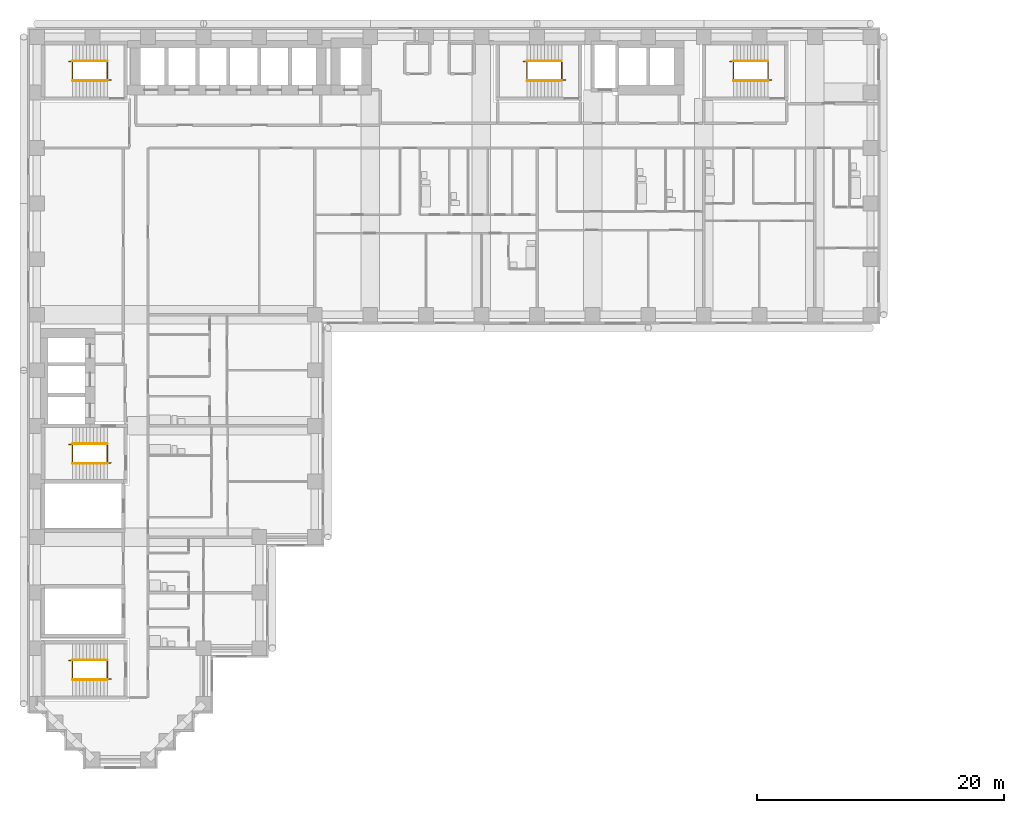
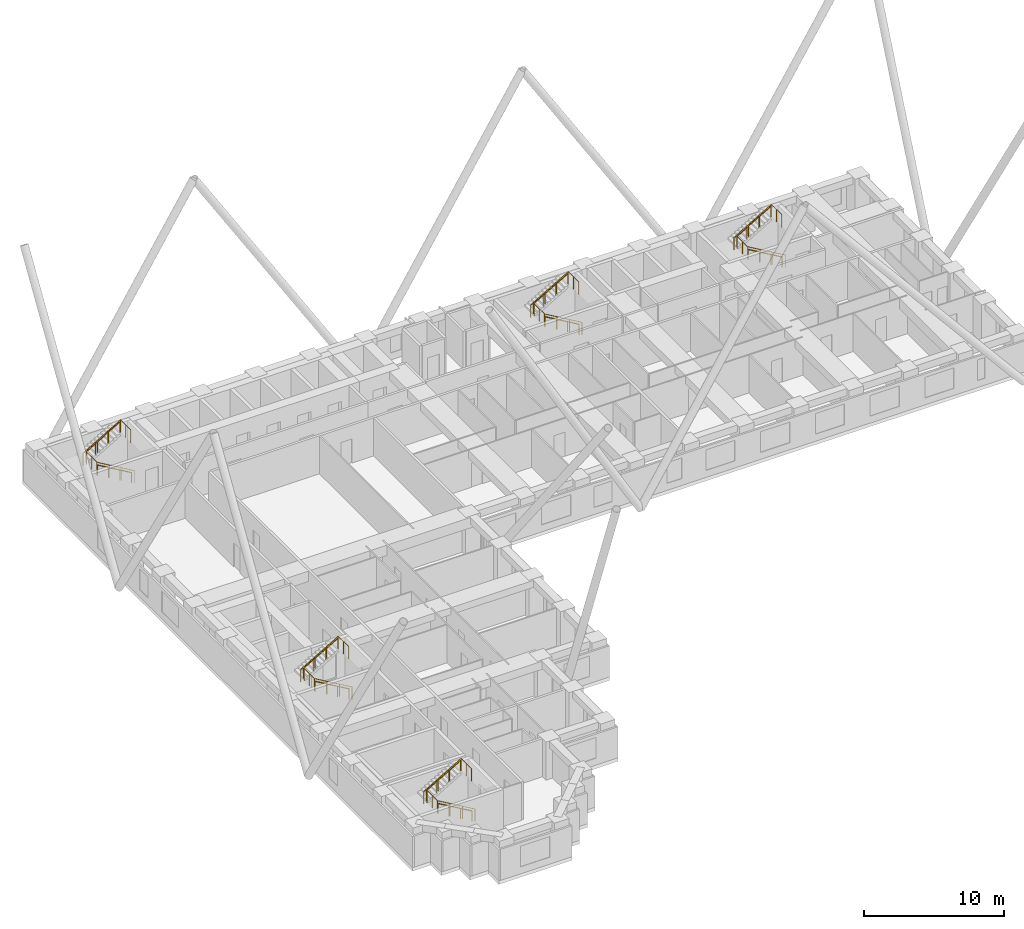
# One storey, part 19 of 20: 15 railings.
"""IFC4 building model written with IfcOpenShell, lengths in metres."""

from ifc_helpers import new_model, si_unit, direction, frame, origin, origin_2d, place, context, subcontext, project, spatial, circle, extrude, material, type_object, element, save


model = new_model("IFC4")

# Units and contexts
model_context = context("Model", 3, precision=1e-05, world=origin(), true_north=direction((0.0, 1.0)))
body_context = subcontext(model_context, "Body", "Model", "MODEL_VIEW")
ifc_project = project(units=[si_unit("LENGTHUNIT", "METRE"), si_unit("AREAUNIT", "SQUARE_METRE"), si_unit("VOLUMEUNIT", "CUBIC_METRE"), si_unit("PLANEANGLEUNIT", "RADIAN"), si_unit("MASSUNIT", "GRAM", prefix="KILO")], contexts=[model_context])

# Site, building, storey
site_placement = place(None, origin())
site = spatial("IfcSite", under=ifc_project, at=site_placement, CompositionType="ELEMENT")
building_placement = place(site_placement, origin())
building = spatial("IfcBuilding", under=site, at=building_placement, Name="Firuza Court", CompositionType="ELEMENT")
storey_placement = place(building_placement, frame((0.0, 0.0, 29.0)))
storey = spatial("IfcBuildingStorey", under=building, at=storey_placement, Name="L05", CompositionType="ELEMENT", Elevation=29.0)

# Railings
ifc_material_1 = material(Name="Steel S355", Category="steel")
railing_type_1 = type_object("IfcRailingType", Name="Handrail 900", PredefinedType="HANDRAIL", material=ifc_material_1)
railing_1_placement = place(storey_placement, frame((42.5, 54.949951171875, 0.16357421875)))
element("IfcRailing", 1, at=railing_1_placement, inside=storey, type_object=railing_type_1, Name="Handrail S1 flight 1", PredefinedType="HANDRAIL", context=body_context, shape_type="SweptSolid", body=[
    extrude(circle(Radius=0.02490234375, at=origin_2d()), frame((0.0, 0.0, 0.875), z_axis=(-0.863360870873, 0.0, 0.504586966384), x_axis=(0.0, -1.0, 0.0)), (0.0, 0.0, 1.0), 3.2431640625),
    extrude(circle(Radius=0.02001953125, at=origin_2d()), origin(), (0.0, 0.0, 1.0), 0.849853515625),
    extrude(circle(Radius=0.02001953125, at=origin_2d()), frame((-0.933349609375, 0.0, 0.54541015625)), (0.0, 0.0, 1.0), 0.849853515625),
    extrude(circle(Radius=0.02001953125, at=origin_2d()), frame((-1.86669921875, 0.0, 1.091064453125)), (0.0, 0.0, 1.0), 0.849853515625),
    extrude(circle(Radius=0.02001953125, at=origin_2d()), frame((-2.800048828125, 0.0, 1.636474609375)), (0.0, 0.0, 1.0), 0.849853515625),
])
railing_2_placement = place(storey_placement, frame((39.699951171875, 56.550048828125, 1.963623046875)))
element("IfcRailing", 2, at=railing_2_placement, inside=storey, type_object=railing_type_1, Name="Handrail S1 flight 2", PredefinedType="HANDRAIL", context=body_context, shape_type="SweptSolid", body=[
    extrude(circle(Radius=0.02490234375, at=origin_2d()), frame((0.0, 0.0, 0.875), z_axis=(0.863360870873, 0.0, 0.504586966384), x_axis=(0.0, 1.0, 0.0)), (0.0, 0.0, 1.0), 3.2431640625),
    extrude(circle(Radius=0.02001953125, at=origin_2d()), origin(), (0.0, 0.0, 1.0), 0.849853515625),
    extrude(circle(Radius=0.02001953125, at=origin_2d()), frame((0.933349609375, 0.0, 0.54541015625)), (0.0, 0.0, 1.0), 0.849853515625),
    extrude(circle(Radius=0.02001953125, at=origin_2d()), frame((1.86669921875, 0.0, 1.091064453125)), (0.0, 0.0, 1.0), 0.849853515625),
    extrude(circle(Radius=0.02001953125, at=origin_2d()), frame((2.800048828125, 0.0, 1.636474609375)), (0.0, 0.0, 1.0), 0.849853515625),
])
railing_3_placement = place(storey_placement, frame((5.699951171875, 23.949951171875, 0.16357421875)))
element("IfcRailing", 3, at=railing_3_placement, inside=storey, type_object=railing_type_1, Name="Handrail S2 flight 1", PredefinedType="HANDRAIL", context=body_context, shape_type="SweptSolid", body=[
    extrude(circle(Radius=0.02490234375, at=origin_2d()), frame((0.0, 0.0, 0.875), z_axis=(-0.863360870873, 0.0, 0.504586966384), x_axis=(0.0, -1.0, 0.0)), (0.0, 0.0, 1.0), 3.2431640625),
    extrude(circle(Radius=0.02001953125, at=origin_2d()), origin(), (0.0, 0.0, 1.0), 0.849853515625),
    extrude(circle(Radius=0.02001953125, at=origin_2d()), frame((-0.933349609375, 0.0, 0.54541015625)), (0.0, 0.0, 1.0), 0.849853515625),
    extrude(circle(Radius=0.02001953125, at=origin_2d()), frame((-1.86669921875, 0.0, 1.091064453125)), (0.0, 0.0, 1.0), 0.849853515625),
    extrude(circle(Radius=0.02001953125, at=origin_2d()), frame((-2.800048828125, 0.0, 1.636474609375)), (0.0, 0.0, 1.0), 0.849853515625),
])
railing_4_placement = place(storey_placement, frame((2.89990234375, 25.550048828125, 1.963623046875)))
element("IfcRailing", 4, at=railing_4_placement, inside=storey, type_object=railing_type_1, Name="Handrail S2 flight 2", PredefinedType="HANDRAIL", context=body_context, shape_type="SweptSolid", body=[
    extrude(circle(Radius=0.02490234375, at=origin_2d()), frame((0.0, 0.0, 0.875), z_axis=(0.863360870873, 0.0, 0.504586966384), x_axis=(0.0, 1.0, 0.0)), (0.0, 0.0, 1.0), 3.2431640625),
    extrude(circle(Radius=0.02001953125, at=origin_2d()), origin(), (0.0, 0.0, 1.0), 0.849853515625),
    extrude(circle(Radius=0.02001953125, at=origin_2d()), frame((0.933349609375, 0.0, 0.54541015625)), (0.0, 0.0, 1.0), 0.849853515625),
    extrude(circle(Radius=0.02001953125, at=origin_2d()), frame((1.86669921875, 0.0, 1.091064453125)), (0.0, 0.0, 1.0), 0.849853515625),
    extrude(circle(Radius=0.02001953125, at=origin_2d()), frame((2.800048828125, 0.0, 1.636474609375)), (0.0, 0.0, 1.0), 0.849853515625),
])
railing_5_placement = place(storey_placement, frame((5.699951171875, 54.949951171875, 0.16357421875)))
element("IfcRailing", 5, at=railing_5_placement, inside=storey, type_object=railing_type_1, Name="Handrail S3 flight 1", PredefinedType="HANDRAIL", context=body_context, shape_type="SweptSolid", body=[
    extrude(circle(Radius=0.02490234375, at=origin_2d()), frame((0.0, 0.0, 0.875), z_axis=(-0.863360870873, 0.0, 0.504586966384), x_axis=(0.0, -1.0, 0.0)), (0.0, 0.0, 1.0), 3.2431640625),
    extrude(circle(Radius=0.02001953125, at=origin_2d()), origin(), (0.0, 0.0, 1.0), 0.849853515625),
    extrude(circle(Radius=0.02001953125, at=origin_2d()), frame((-0.933349609375, 0.0, 0.54541015625)), (0.0, 0.0, 1.0), 0.849853515625),
    extrude(circle(Radius=0.02001953125, at=origin_2d()), frame((-1.86669921875, 0.0, 1.091064453125)), (0.0, 0.0, 1.0), 0.849853515625),
    extrude(circle(Radius=0.02001953125, at=origin_2d()), frame((-2.800048828125, 0.0, 1.636474609375)), (0.0, 0.0, 1.0), 0.849853515625),
])
railing_6_placement = place(storey_placement, frame((2.89990234375, 56.550048828125, 1.963623046875)))
element("IfcRailing", 6, at=railing_6_placement, inside=storey, type_object=railing_type_1, Name="Handrail S3 flight 2", PredefinedType="HANDRAIL", context=body_context, shape_type="SweptSolid", body=[
    extrude(circle(Radius=0.02490234375, at=origin_2d()), frame((0.0, 0.0, 0.875), z_axis=(0.863360870873, 0.0, 0.504586966384), x_axis=(0.0, 1.0, 0.0)), (0.0, 0.0, 1.0), 3.2431640625),
    extrude(circle(Radius=0.02001953125, at=origin_2d()), origin(), (0.0, 0.0, 1.0), 0.849853515625),
    extrude(circle(Radius=0.02001953125, at=origin_2d()), frame((0.933349609375, 0.0, 0.54541015625)), (0.0, 0.0, 1.0), 0.849853515625),
    extrude(circle(Radius=0.02001953125, at=origin_2d()), frame((1.86669921875, 0.0, 1.091064453125)), (0.0, 0.0, 1.0), 0.849853515625),
    extrude(circle(Radius=0.02001953125, at=origin_2d()), frame((2.800048828125, 0.0, 1.636474609375)), (0.0, 0.0, 1.0), 0.849853515625),
])
railing_7_placement = place(storey_placement, frame((59.199951171875, 54.949951171875, 0.16357421875)))
element("IfcRailing", 7, at=railing_7_placement, inside=storey, type_object=railing_type_1, Name="Handrail S4 flight 1", PredefinedType="HANDRAIL", context=body_context, shape_type="SweptSolid", body=[
    extrude(circle(Radius=0.02490234375, at=origin_2d()), frame((0.0, 0.0, 0.875), z_axis=(-0.863360870873, 0.0, 0.504586966384), x_axis=(0.0, -1.0, 0.0)), (0.0, 0.0, 1.0), 3.2431640625),
    extrude(circle(Radius=0.02001953125, at=origin_2d()), origin(), (0.0, 0.0, 1.0), 0.849853515625),
    extrude(circle(Radius=0.02001953125, at=origin_2d()), frame((-0.933349609375, 0.0, 0.54541015625)), (0.0, 0.0, 1.0), 0.849853515625),
    extrude(circle(Radius=0.02001953125, at=origin_2d()), frame((-1.86669921875, 0.0, 1.091064453125)), (0.0, 0.0, 1.0), 0.849853515625),
    extrude(circle(Radius=0.02001953125, at=origin_2d()), frame((-2.800048828125, 0.0, 1.636474609375)), (0.0, 0.0, 1.0), 0.849853515625),
])
railing_8_placement = place(storey_placement, frame((56.39990234375, 56.550048828125, 1.963623046875)))
element("IfcRailing", 8, at=railing_8_placement, inside=storey, type_object=railing_type_1, Name="Handrail S4 flight 2", PredefinedType="HANDRAIL", context=body_context, shape_type="SweptSolid", body=[
    extrude(circle(Radius=0.02490234375, at=origin_2d()), frame((0.0, 0.0, 0.875), z_axis=(0.863360870873, 0.0, 0.504586966384), x_axis=(0.0, 1.0, 0.0)), (0.0, 0.0, 1.0), 3.2431640625),
    extrude(circle(Radius=0.02001953125, at=origin_2d()), origin(), (0.0, 0.0, 1.0), 0.849853515625),
    extrude(circle(Radius=0.02001953125, at=origin_2d()), frame((0.933349609375, 0.0, 0.54541015625)), (0.0, 0.0, 1.0), 0.849853515625),
    extrude(circle(Radius=0.02001953125, at=origin_2d()), frame((1.86669921875, 0.0, 1.091064453125)), (0.0, 0.0, 1.0), 0.849853515625),
    extrude(circle(Radius=0.02001953125, at=origin_2d()), frame((2.800048828125, 0.0, 1.636474609375)), (0.0, 0.0, 1.0), 0.849853515625),
])
railing_9_placement = place(storey_placement, frame((5.699951171875, 6.449951171875, 0.16357421875)))
element("IfcRailing", 9, at=railing_9_placement, inside=storey, type_object=railing_type_1, Name="Handrail S5 flight 1", PredefinedType="HANDRAIL", context=body_context, shape_type="SweptSolid", body=[
    extrude(circle(Radius=0.02490234375, at=origin_2d()), frame((0.0, 0.0, 0.875), z_axis=(-0.863360870873, 0.0, 0.504586966384), x_axis=(0.0, -1.0, 0.0)), (0.0, 0.0, 1.0), 3.2431640625),
    extrude(circle(Radius=0.02001953125, at=origin_2d()), origin(), (0.0, 0.0, 1.0), 0.849853515625),
    extrude(circle(Radius=0.02001953125, at=origin_2d()), frame((-0.933349609375, 0.0, 0.54541015625)), (0.0, 0.0, 1.0), 0.849853515625),
    extrude(circle(Radius=0.02001953125, at=origin_2d()), frame((-1.86669921875, 0.0, 1.091064453125)), (0.0, 0.0, 1.0), 0.849853515625),
    extrude(circle(Radius=0.02001953125, at=origin_2d()), frame((-2.800048828125, 0.0, 1.636474609375)), (0.0, 0.0, 1.0), 0.849853515625),
])
railing_10_placement = place(storey_placement, frame((2.89990234375, 8.050048828125, 1.963623046875)))
element("IfcRailing", 10, at=railing_10_placement, inside=storey, type_object=railing_type_1, Name="Handrail S5 flight 2", PredefinedType="HANDRAIL", context=body_context, shape_type="SweptSolid", body=[
    extrude(circle(Radius=0.02490234375, at=origin_2d()), frame((0.0, 0.0, 0.875), z_axis=(0.863360870873, 0.0, 0.504586966384), x_axis=(0.0, 1.0, 0.0)), (0.0, 0.0, 1.0), 3.2431640625),
    extrude(circle(Radius=0.02001953125, at=origin_2d()), origin(), (0.0, 0.0, 1.0), 0.849853515625),
    extrude(circle(Radius=0.02001953125, at=origin_2d()), frame((0.933349609375, 0.0, 0.54541015625)), (0.0, 0.0, 1.0), 0.849853515625),
    extrude(circle(Radius=0.02001953125, at=origin_2d()), frame((1.86669921875, 0.0, 1.091064453125)), (0.0, 0.0, 1.0), 0.849853515625),
    extrude(circle(Radius=0.02001953125, at=origin_2d()), frame((2.800048828125, 0.0, 1.636474609375)), (0.0, 0.0, 1.0), 0.849853515625),
])
ifc_material_2 = material(Name="Steel S355", Category="steel")
railing_type_2 = type_object("IfcRailingType", Name="Stair guard 1100", PredefinedType="GUARDRAIL", material=ifc_material_2)
railing_11_placement = place(storey_placement, frame((42.780029296875, 55.010009765625, 0.0)))
element("IfcRailing", 11, at=railing_11_placement, inside=storey, type_object=railing_type_2, Name="Stair well guard S1", PredefinedType="GUARDRAIL", context=body_context, shape_type="SweptSolid", body=[
    extrude(circle(Radius=0.02490234375, at=origin_2d()), frame((0.0, 0.0, 1.0751953125), z_axis=(-0.863371556955, 0.0, 0.504568681787), x_axis=(0.0, -1.0, 0.0)), (0.0, 0.0, 1.0), 3.5673828125),
    extrude(circle(Radius=0.02490234375, at=origin_2d()), frame((-3.080078125, 0.0, 2.875), z_axis=(0.0, 1.0, 0.0), x_axis=(-1.0, 0.0, 0.0)), (0.0, 0.0, 1.0), 1.47998046875),
    extrude(circle(Radius=0.02490234375, at=origin_2d()), frame((-3.080078125, 1.47998046875, 2.875), z_axis=(-1.0, 0.0, 0.0), x_axis=(0.0, -1.0, 0.0)), (0.0, 0.0, 1.0), 0.280029296875),
    extrude(circle(Radius=0.02490234375, at=origin_2d()), frame((-3.360107421875, 1.47998046875, 2.875), z_axis=(0.863371556955, 0.0, 0.504568681787), x_axis=(0.0, 1.0, 0.0)), (0.0, 0.0, 1.0), 3.5673828125),
    extrude(circle(Radius=0.02490234375, at=origin_2d()), frame((-0.280029296875, 1.47998046875, 4.67529296875), z_axis=(0.0, -1.0, 0.0), x_axis=(1.0, 0.0, 0.0)), (0.0, 0.0, 1.0), 1.47998046875),
    extrude(circle(Radius=0.02490234375, at=origin_2d()), origin(), (0.0, 0.0, 1.0), 1.050048828125),
    extrude(circle(Radius=0.02490234375, at=origin_2d()), frame((-1.026611328125, 0.0, 0.60009765625)), (0.0, 0.0, 1.0), 1.050048828125),
    extrude(circle(Radius=0.02490234375, at=origin_2d()), frame((-2.053466796875, 0.0, 1.199951171875)), (0.0, 0.0, 1.0), 1.050048828125),
    extrude(circle(Radius=0.02490234375, at=origin_2d()), frame((-3.080078125, 0.0, 1.800048828125)), (0.0, 0.0, 1.0), 1.050048828125),
    extrude(circle(Radius=0.02490234375, at=origin_2d()), frame((-3.080078125, 0.739990234375, 1.800048828125)), (0.0, 0.0, 1.0), 1.050048828125),
    extrude(circle(Radius=0.02490234375, at=origin_2d()), frame((-3.080078125, 1.47998046875, 1.800048828125)), (0.0, 0.0, 1.0), 1.050048828125),
    extrude(circle(Radius=0.02490234375, at=origin_2d()), frame((-3.360107421875, 1.47998046875, 1.800048828125)), (0.0, 0.0, 1.0), 1.050048828125),
    extrude(circle(Radius=0.02490234375, at=origin_2d()), frame((-2.33349609375, 1.47998046875, 2.400146484375)), (0.0, 0.0, 1.0), 1.050048828125),
    extrude(circle(Radius=0.02490234375, at=origin_2d()), frame((-1.306640625, 1.47998046875, 3.0)), (0.0, 0.0, 1.0), 1.050048828125),
    extrude(circle(Radius=0.02490234375, at=origin_2d()), frame((-0.280029296875, 1.47998046875, 3.60009765625)), (0.0, 0.0, 1.0), 1.050048828125),
    extrude(circle(Radius=0.02490234375, at=origin_2d()), frame((-0.280029296875, 0.739990234375, 3.60009765625)), (0.0, 0.0, 1.0), 1.050048828125),
    extrude(circle(Radius=0.02490234375, at=origin_2d()), frame((-0.280029296875, 0.0, 3.60009765625)), (0.0, 0.0, 1.0), 1.050048828125),
])
railing_12_placement = place(storey_placement, frame((5.97998046875, 24.010009765625, 0.0)))
element("IfcRailing", 12, at=railing_12_placement, inside=storey, type_object=railing_type_2, Name="Stair well guard S2", PredefinedType="GUARDRAIL", context=body_context, shape_type="SweptSolid", body=[
    extrude(circle(Radius=0.02490234375, at=origin_2d()), frame((0.0, 0.0, 1.0751953125), z_axis=(-0.863371556955, 0.0, 0.504568681787), x_axis=(0.0, -1.0, 0.0)), (0.0, 0.0, 1.0), 3.5673828125),
    extrude(circle(Radius=0.02490234375, at=origin_2d()), frame((-3.080078125, 0.0, 2.875), z_axis=(0.0, 1.0, 0.0), x_axis=(-1.0, 0.0, 0.0)), (0.0, 0.0, 1.0), 1.47998046875),
    extrude(circle(Radius=0.02490234375, at=origin_2d()), frame((-3.080078125, 1.47998046875, 2.875), z_axis=(-1.0, 0.0, 0.0), x_axis=(0.0, -1.0, 0.0)), (0.0, 0.0, 1.0), 0.27978515625),
    extrude(circle(Radius=0.02490234375, at=origin_2d()), frame((-3.35986328125, 1.47998046875, 2.875), z_axis=(0.863354132664, 0.0, 0.504598495452), x_axis=(0.0, 1.0, 0.0)), (0.0, 0.0, 1.0), 3.5673828125),
    extrude(circle(Radius=0.02490234375, at=origin_2d()), frame((-0.280029296875, 1.47998046875, 4.67529296875), z_axis=(0.0, -1.0, 0.0), x_axis=(1.0, 0.0, 0.0)), (0.0, 0.0, 1.0), 1.47998046875),
    extrude(circle(Radius=0.02490234375, at=origin_2d()), origin(), (0.0, 0.0, 1.0), 1.050048828125),
    extrude(circle(Radius=0.02490234375, at=origin_2d()), frame((-1.026611328125, 0.0, 0.60009765625)), (0.0, 0.0, 1.0), 1.050048828125),
    extrude(circle(Radius=0.02490234375, at=origin_2d()), frame((-2.053466796875, 0.0, 1.199951171875)), (0.0, 0.0, 1.0), 1.050048828125),
    extrude(circle(Radius=0.02490234375, at=origin_2d()), frame((-3.080078125, 0.0, 1.800048828125)), (0.0, 0.0, 1.0), 1.050048828125),
    extrude(circle(Radius=0.02490234375, at=origin_2d()), frame((-3.080078125, 0.739990234375, 1.800048828125)), (0.0, 0.0, 1.0), 1.050048828125),
    extrude(circle(Radius=0.02490234375, at=origin_2d()), frame((-3.080078125, 1.47998046875, 1.800048828125)), (0.0, 0.0, 1.0), 1.050048828125),
    extrude(circle(Radius=0.02490234375, at=origin_2d()), frame((-3.35986328125, 1.47998046875, 1.800048828125)), (0.0, 0.0, 1.0), 1.050048828125),
    extrude(circle(Radius=0.02490234375, at=origin_2d()), frame((-2.333251953125, 1.47998046875, 2.400146484375)), (0.0, 0.0, 1.0), 1.050048828125),
    extrude(circle(Radius=0.02490234375, at=origin_2d()), frame((-1.306640625, 1.47998046875, 3.0)), (0.0, 0.0, 1.0), 1.050048828125),
    extrude(circle(Radius=0.02490234375, at=origin_2d()), frame((-0.280029296875, 1.47998046875, 3.60009765625)), (0.0, 0.0, 1.0), 1.050048828125),
    extrude(circle(Radius=0.02490234375, at=origin_2d()), frame((-0.280029296875, 0.739990234375, 3.60009765625)), (0.0, 0.0, 1.0), 1.050048828125),
    extrude(circle(Radius=0.02490234375, at=origin_2d()), frame((-0.280029296875, 0.0, 3.60009765625)), (0.0, 0.0, 1.0), 1.050048828125),
])
railing_13_placement = place(storey_placement, frame((5.97998046875, 55.010009765625, 0.0)))
element("IfcRailing", 13, at=railing_13_placement, inside=storey, type_object=railing_type_2, Name="Stair well guard S3", PredefinedType="GUARDRAIL", context=body_context, shape_type="SweptSolid", body=[
    extrude(circle(Radius=0.02490234375, at=origin_2d()), frame((0.0, 0.0, 1.0751953125), z_axis=(-0.863371556955, 0.0, 0.504568681787), x_axis=(0.0, -1.0, 0.0)), (0.0, 0.0, 1.0), 3.5673828125),
    extrude(circle(Radius=0.02490234375, at=origin_2d()), frame((-3.080078125, 0.0, 2.875), z_axis=(0.0, 1.0, 0.0), x_axis=(-1.0, 0.0, 0.0)), (0.0, 0.0, 1.0), 1.47998046875),
    extrude(circle(Radius=0.02490234375, at=origin_2d()), frame((-3.080078125, 1.47998046875, 2.875), z_axis=(-1.0, 0.0, 0.0), x_axis=(0.0, -1.0, 0.0)), (0.0, 0.0, 1.0), 0.27978515625),
    extrude(circle(Radius=0.02490234375, at=origin_2d()), frame((-3.35986328125, 1.47998046875, 2.875), z_axis=(0.863354132664, 0.0, 0.504598495452), x_axis=(0.0, 1.0, 0.0)), (0.0, 0.0, 1.0), 3.5673828125),
    extrude(circle(Radius=0.02490234375, at=origin_2d()), frame((-0.280029296875, 1.47998046875, 4.67529296875), z_axis=(0.0, -1.0, 0.0), x_axis=(1.0, 0.0, 0.0)), (0.0, 0.0, 1.0), 1.47998046875),
    extrude(circle(Radius=0.02490234375, at=origin_2d()), origin(), (0.0, 0.0, 1.0), 1.050048828125),
    extrude(circle(Radius=0.02490234375, at=origin_2d()), frame((-1.026611328125, 0.0, 0.60009765625)), (0.0, 0.0, 1.0), 1.050048828125),
    extrude(circle(Radius=0.02490234375, at=origin_2d()), frame((-2.053466796875, 0.0, 1.199951171875)), (0.0, 0.0, 1.0), 1.050048828125),
    extrude(circle(Radius=0.02490234375, at=origin_2d()), frame((-3.080078125, 0.0, 1.800048828125)), (0.0, 0.0, 1.0), 1.050048828125),
    extrude(circle(Radius=0.02490234375, at=origin_2d()), frame((-3.080078125, 0.739990234375, 1.800048828125)), (0.0, 0.0, 1.0), 1.050048828125),
    extrude(circle(Radius=0.02490234375, at=origin_2d()), frame((-3.080078125, 1.47998046875, 1.800048828125)), (0.0, 0.0, 1.0), 1.050048828125),
    extrude(circle(Radius=0.02490234375, at=origin_2d()), frame((-3.35986328125, 1.47998046875, 1.800048828125)), (0.0, 0.0, 1.0), 1.050048828125),
    extrude(circle(Radius=0.02490234375, at=origin_2d()), frame((-2.333251953125, 1.47998046875, 2.400146484375)), (0.0, 0.0, 1.0), 1.050048828125),
    extrude(circle(Radius=0.02490234375, at=origin_2d()), frame((-1.306640625, 1.47998046875, 3.0)), (0.0, 0.0, 1.0), 1.050048828125),
    extrude(circle(Radius=0.02490234375, at=origin_2d()), frame((-0.280029296875, 1.47998046875, 3.60009765625)), (0.0, 0.0, 1.0), 1.050048828125),
    extrude(circle(Radius=0.02490234375, at=origin_2d()), frame((-0.280029296875, 0.739990234375, 3.60009765625)), (0.0, 0.0, 1.0), 1.050048828125),
    extrude(circle(Radius=0.02490234375, at=origin_2d()), frame((-0.280029296875, 0.0, 3.60009765625)), (0.0, 0.0, 1.0), 1.050048828125),
])
railing_14_placement = place(storey_placement, frame((59.47998046875, 55.010009765625, 0.0)))
element("IfcRailing", 14, at=railing_14_placement, inside=storey, type_object=railing_type_2, Name="Stair well guard S4", PredefinedType="GUARDRAIL", context=body_context, shape_type="SweptSolid", body=[
    extrude(circle(Radius=0.02490234375, at=origin_2d()), frame((0.0, 0.0, 1.0751953125), z_axis=(-0.863371556955, 0.0, 0.504568681787), x_axis=(0.0, -1.0, 0.0)), (0.0, 0.0, 1.0), 3.5673828125),
    extrude(circle(Radius=0.02490234375, at=origin_2d()), frame((-3.080078125, 0.0, 2.875), z_axis=(0.0, 1.0, 0.0), x_axis=(-1.0, 0.0, 0.0)), (0.0, 0.0, 1.0), 1.47998046875),
    extrude(circle(Radius=0.02490234375, at=origin_2d()), frame((-3.080078125, 1.47998046875, 2.875), z_axis=(-1.0, 0.0, 0.0), x_axis=(0.0, -1.0, 0.0)), (0.0, 0.0, 1.0), 0.27978515625),
    extrude(circle(Radius=0.02490234375, at=origin_2d()), frame((-3.35986328125, 1.47998046875, 2.875), z_axis=(0.863354132664, 0.0, 0.504598495452), x_axis=(0.0, 1.0, 0.0)), (0.0, 0.0, 1.0), 3.5673828125),
    extrude(circle(Radius=0.02490234375, at=origin_2d()), frame((-0.280029296875, 1.47998046875, 4.67529296875), z_axis=(0.0, -1.0, 0.0), x_axis=(1.0, 0.0, 0.0)), (0.0, 0.0, 1.0), 1.47998046875),
    extrude(circle(Radius=0.02490234375, at=origin_2d()), origin(), (0.0, 0.0, 1.0), 1.050048828125),
    extrude(circle(Radius=0.02490234375, at=origin_2d()), frame((-1.026611328125, 0.0, 0.60009765625)), (0.0, 0.0, 1.0), 1.050048828125),
    extrude(circle(Radius=0.02490234375, at=origin_2d()), frame((-2.053466796875, 0.0, 1.199951171875)), (0.0, 0.0, 1.0), 1.050048828125),
    extrude(circle(Radius=0.02490234375, at=origin_2d()), frame((-3.080078125, 0.0, 1.800048828125)), (0.0, 0.0, 1.0), 1.050048828125),
    extrude(circle(Radius=0.02490234375, at=origin_2d()), frame((-3.080078125, 0.739990234375, 1.800048828125)), (0.0, 0.0, 1.0), 1.050048828125),
    extrude(circle(Radius=0.02490234375, at=origin_2d()), frame((-3.080078125, 1.47998046875, 1.800048828125)), (0.0, 0.0, 1.0), 1.050048828125),
    extrude(circle(Radius=0.02490234375, at=origin_2d()), frame((-3.35986328125, 1.47998046875, 1.800048828125)), (0.0, 0.0, 1.0), 1.050048828125),
    extrude(circle(Radius=0.02490234375, at=origin_2d()), frame((-2.333251953125, 1.47998046875, 2.400146484375)), (0.0, 0.0, 1.0), 1.050048828125),
    extrude(circle(Radius=0.02490234375, at=origin_2d()), frame((-1.306640625, 1.47998046875, 3.0)), (0.0, 0.0, 1.0), 1.050048828125),
    extrude(circle(Radius=0.02490234375, at=origin_2d()), frame((-0.280029296875, 1.47998046875, 3.60009765625)), (0.0, 0.0, 1.0), 1.050048828125),
    extrude(circle(Radius=0.02490234375, at=origin_2d()), frame((-0.280029296875, 0.739990234375, 3.60009765625)), (0.0, 0.0, 1.0), 1.050048828125),
    extrude(circle(Radius=0.02490234375, at=origin_2d()), frame((-0.280029296875, 0.0, 3.60009765625)), (0.0, 0.0, 1.0), 1.050048828125),
])
railing_15_placement = place(storey_placement, frame((5.97998046875, 6.510009765625, 0.0)))
element("IfcRailing", 15, at=railing_15_placement, inside=storey, type_object=railing_type_2, Name="Stair well guard S5", PredefinedType="GUARDRAIL", context=body_context, shape_type="SweptSolid", body=[
    extrude(circle(Radius=0.02490234375, at=origin_2d()), frame((0.0, 0.0, 1.0751953125), z_axis=(-0.863371556955, 0.0, 0.504568681787), x_axis=(0.0, -1.0, 0.0)), (0.0, 0.0, 1.0), 3.5673828125),
    extrude(circle(Radius=0.02490234375, at=origin_2d()), frame((-3.080078125, 0.0, 2.875), z_axis=(0.0, 1.0, 0.0), x_axis=(-1.0, 0.0, 0.0)), (0.0, 0.0, 1.0), 1.47998046875),
    extrude(circle(Radius=0.02490234375, at=origin_2d()), frame((-3.080078125, 1.47998046875, 2.875), z_axis=(-1.0, 0.0, 0.0), x_axis=(0.0, -1.0, 0.0)), (0.0, 0.0, 1.0), 0.27978515625),
    extrude(circle(Radius=0.02490234375, at=origin_2d()), frame((-3.35986328125, 1.47998046875, 2.875), z_axis=(0.863354132664, 0.0, 0.504598495452), x_axis=(0.0, 1.0, 0.0)), (0.0, 0.0, 1.0), 3.5673828125),
    extrude(circle(Radius=0.02490234375, at=origin_2d()), frame((-0.280029296875, 1.47998046875, 4.67529296875), z_axis=(0.0, -1.0, 0.0), x_axis=(1.0, 0.0, 0.0)), (0.0, 0.0, 1.0), 1.47998046875),
    extrude(circle(Radius=0.02490234375, at=origin_2d()), origin(), (0.0, 0.0, 1.0), 1.050048828125),
    extrude(circle(Radius=0.02490234375, at=origin_2d()), frame((-1.026611328125, 0.0, 0.60009765625)), (0.0, 0.0, 1.0), 1.050048828125),
    extrude(circle(Radius=0.02490234375, at=origin_2d()), frame((-2.053466796875, 0.0, 1.199951171875)), (0.0, 0.0, 1.0), 1.050048828125),
    extrude(circle(Radius=0.02490234375, at=origin_2d()), frame((-3.080078125, 0.0, 1.800048828125)), (0.0, 0.0, 1.0), 1.050048828125),
    extrude(circle(Radius=0.02490234375, at=origin_2d()), frame((-3.080078125, 0.739990234375, 1.800048828125)), (0.0, 0.0, 1.0), 1.050048828125),
    extrude(circle(Radius=0.02490234375, at=origin_2d()), frame((-3.080078125, 1.47998046875, 1.800048828125)), (0.0, 0.0, 1.0), 1.050048828125),
    extrude(circle(Radius=0.02490234375, at=origin_2d()), frame((-3.35986328125, 1.47998046875, 1.800048828125)), (0.0, 0.0, 1.0), 1.050048828125),
    extrude(circle(Radius=0.02490234375, at=origin_2d()), frame((-2.333251953125, 1.47998046875, 2.400146484375)), (0.0, 0.0, 1.0), 1.050048828125),
    extrude(circle(Radius=0.02490234375, at=origin_2d()), frame((-1.306640625, 1.47998046875, 3.0)), (0.0, 0.0, 1.0), 1.050048828125),
    extrude(circle(Radius=0.02490234375, at=origin_2d()), frame((-0.280029296875, 1.47998046875, 3.60009765625)), (0.0, 0.0, 1.0), 1.050048828125),
    extrude(circle(Radius=0.02490234375, at=origin_2d()), frame((-0.280029296875, 0.739990234375, 3.60009765625)), (0.0, 0.0, 1.0), 1.050048828125),
    extrude(circle(Radius=0.02490234375, at=origin_2d()), frame((-0.280029296875, 0.0, 3.60009765625)), (0.0, 0.0, 1.0), 1.050048828125),
])

save(model, "model.ifc")
